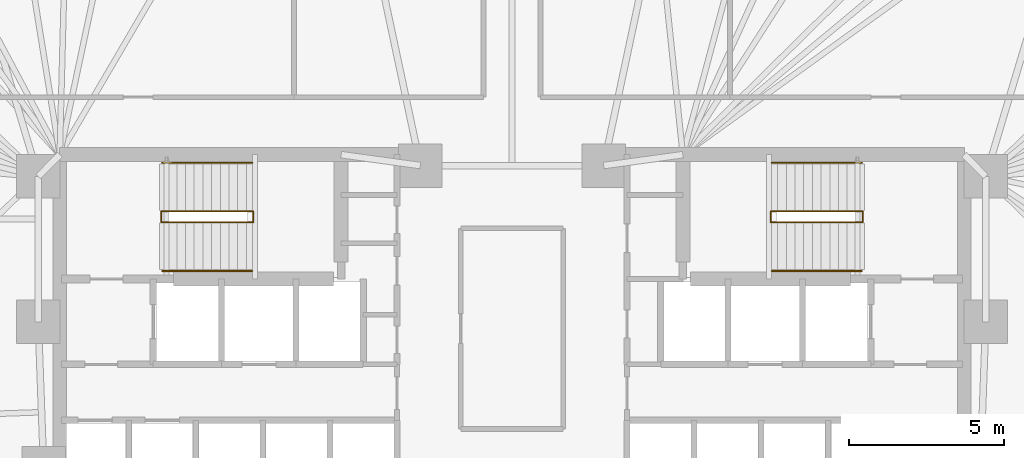
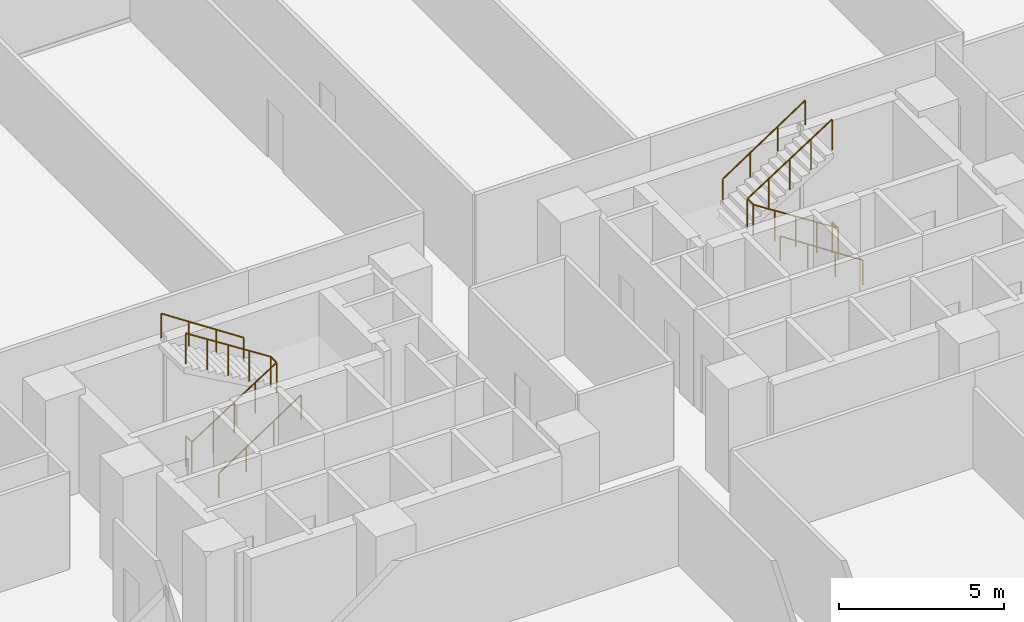
# One storey, part 17 of 17: 6 railings.
"""IFC4 building model written with IfcOpenShell, lengths in metres."""

from ifc_helpers import new_model, si_unit, direction, frame, origin, origin_2d, place, context, subcontext, project, spatial, circle, extrude, material, type_object, element, save


model = new_model("IFC4")

# Units and contexts
model_context = context("Model", 3, precision=1e-05, world=origin(), true_north=direction((0.0, 1.0)))
body_context = subcontext(model_context, "Body", "Model", "MODEL_VIEW")
ifc_project = project(units=[si_unit("LENGTHUNIT", "METRE"), si_unit("AREAUNIT", "SQUARE_METRE"), si_unit("VOLUMEUNIT", "CUBIC_METRE"), si_unit("PLANEANGLEUNIT", "RADIAN"), si_unit("MASSUNIT", "GRAM", prefix="KILO")], contexts=[model_context])

# Site, building, storey
site_placement = place(None, origin())
site = spatial("IfcSite", under=ifc_project, at=site_placement, CompositionType="ELEMENT")
building_placement = place(site_placement, origin())
building = spatial("IfcBuilding", under=site, at=building_placement, Name="Menara Jurai Vektor", CompositionType="ELEMENT")
storey_placement = place(building_placement, frame((0.0, 0.0, 52.199951171875)))
storey = spatial("IfcBuildingStorey", under=building, at=storey_placement, Name="L12", CompositionType="ELEMENT", Elevation=52.199951171875)

# Railings
ifc_material_1 = material(Name="Painted Galvanised Steel Balustrade", Category="steel")
railing_type_1 = type_object("IfcRailingType", Name="RAIL-STAIR-GUARD", PredefinedType="GUARDRAIL", material=ifc_material_1)
railing_1_placement = place(storey_placement, frame((-11.2900390625, 3.780029296875, 0.0)))
element("IfcRailing", 1, at=railing_1_placement, inside=storey, type_object=railing_type_1, Name="ST1 Stair Guardrail 1 L12", PredefinedType="GUARDRAIL", context=body_context, shape_type="SweptSolid", body=[
    extrude(circle(Radius=0.02392578125, at=origin_2d()), frame((0.0, 0.0, 1.1259765625), z_axis=(0.0, -1.0, 0.0), x_axis=(1.0, 0.0, 0.0)), (0.0, 0.0, 1.0), 0.360107421875),
    extrude(circle(Radius=0.02392578125, at=origin_2d()), frame((0.0, -0.360107421875, 1.1259765625), z_axis=(0.841525601958, 0.0, 0.540217235239), x_axis=(0.0, 1.0, 0.0)), (0.0, 0.0, 1.0), 3.517333984375),
    extrude(circle(Radius=0.02392578125, at=origin_2d()), frame((2.9599609375, -0.360107421875, 3.02587890625), z_axis=(0.0, 1.0, 0.0), x_axis=(-1.0, 0.0, 0.0)), (0.0, 0.0, 1.0), 0.360107421875),
    extrude(circle(Radius=0.02392578125, at=origin_2d()), frame((2.9599609375, 0.0, 3.02587890625), z_axis=(-0.841557155905, 0.0, 0.540168078791), x_axis=(0.0, -1.0, 0.0)), (0.0, 0.0, 1.0), 3.517333984375),
    extrude(circle(Radius=0.02099609375, at=origin_2d()), origin(), (0.0, 0.0, 1.0), 1.101806640625),
    extrude(circle(Radius=0.02099609375, at=origin_2d()), frame((0.0, -0.360107421875, 0.0)), (0.0, 0.0, 1.0), 1.101806640625),
    extrude(circle(Radius=0.02099609375, at=origin_2d()), frame((0.739990234375, -0.360107421875, 0.47509765625)), (0.0, 0.0, 1.0), 1.101806640625),
    extrude(circle(Radius=0.02099609375, at=origin_2d()), frame((1.47998046875, -0.360107421875, 0.9501953125)), (0.0, 0.0, 1.0), 1.101806640625),
    extrude(circle(Radius=0.02099609375, at=origin_2d()), frame((2.219970703125, -0.360107421875, 1.425048828125)), (0.0, 0.0, 1.0), 1.101806640625),
    extrude(circle(Radius=0.02099609375, at=origin_2d()), frame((2.9599609375, -0.360107421875, 1.900146484375)), (0.0, 0.0, 1.0), 1.101806640625),
    extrude(circle(Radius=0.02099609375, at=origin_2d()), frame((2.9599609375, 0.0, 1.900146484375)), (0.0, 0.0, 1.0), 1.101806640625),
    extrude(circle(Radius=0.02099609375, at=origin_2d()), frame((2.219970703125, 0.0, 2.375)), (0.0, 0.0, 1.0), 1.101806640625),
    extrude(circle(Radius=0.02099609375, at=origin_2d()), frame((1.47998046875, 0.0, 2.85009765625)), (0.0, 0.0, 1.0), 1.101806640625),
    extrude(circle(Radius=0.02099609375, at=origin_2d()), frame((0.739990234375, 0.0, 3.3251953125)), (0.0, 0.0, 1.0), 1.101806640625),
    extrude(circle(Radius=0.02099609375, at=origin_2d()), frame((0.0, 0.0, 3.800048828125)), (0.0, 0.0, 1.0), 1.101806640625),
])
railing_2_placement = place(storey_placement, frame((11.2900390625, 3.780029296875, 0.0)))
element("IfcRailing", 2, at=railing_2_placement, inside=storey, type_object=railing_type_1, Name="ST2 Stair Guardrail 1 L12", PredefinedType="GUARDRAIL", context=body_context, shape_type="SweptSolid", body=[
    extrude(circle(Radius=0.02392578125, at=origin_2d()), frame((0.0, 0.0, 1.1259765625), z_axis=(0.0, -1.0, 0.0), x_axis=(1.0, 0.0, 0.0)), (0.0, 0.0, 1.0), 0.360107421875),
    extrude(circle(Radius=0.02392578125, at=origin_2d()), frame((0.0, -0.360107421875, 1.1259765625), z_axis=(-0.841525601958, 0.0, 0.540217235239), x_axis=(0.0, -1.0, 0.0)), (0.0, 0.0, 1.0), 3.517333984375),
    extrude(circle(Radius=0.02392578125, at=origin_2d()), frame((-2.9599609375, -0.360107421875, 3.02587890625), z_axis=(0.0, 1.0, 0.0), x_axis=(-1.0, 0.0, 0.0)), (0.0, 0.0, 1.0), 0.360107421875),
    extrude(circle(Radius=0.02392578125, at=origin_2d()), frame((-2.9599609375, 0.0, 3.02587890625), z_axis=(0.841557155905, 0.0, 0.540168078791), x_axis=(0.0, 1.0, 0.0)), (0.0, 0.0, 1.0), 3.517333984375),
    extrude(circle(Radius=0.02099609375, at=origin_2d()), origin(), (0.0, 0.0, 1.0), 1.101806640625),
    extrude(circle(Radius=0.02099609375, at=origin_2d()), frame((0.0, -0.360107421875, 0.0)), (0.0, 0.0, 1.0), 1.101806640625),
    extrude(circle(Radius=0.02099609375, at=origin_2d()), frame((-0.739990234375, -0.360107421875, 0.47509765625)), (0.0, 0.0, 1.0), 1.101806640625),
    extrude(circle(Radius=0.02099609375, at=origin_2d()), frame((-1.47998046875, -0.360107421875, 0.9501953125)), (0.0, 0.0, 1.0), 1.101806640625),
    extrude(circle(Radius=0.02099609375, at=origin_2d()), frame((-2.219970703125, -0.360107421875, 1.425048828125)), (0.0, 0.0, 1.0), 1.101806640625),
    extrude(circle(Radius=0.02099609375, at=origin_2d()), frame((-2.9599609375, -0.360107421875, 1.900146484375)), (0.0, 0.0, 1.0), 1.101806640625),
    extrude(circle(Radius=0.02099609375, at=origin_2d()), frame((-2.9599609375, 0.0, 1.900146484375)), (0.0, 0.0, 1.0), 1.101806640625),
    extrude(circle(Radius=0.02099609375, at=origin_2d()), frame((-2.219970703125, 0.0, 2.375)), (0.0, 0.0, 1.0), 1.101806640625),
    extrude(circle(Radius=0.02099609375, at=origin_2d()), frame((-1.47998046875, 0.0, 2.85009765625)), (0.0, 0.0, 1.0), 1.101806640625),
    extrude(circle(Radius=0.02099609375, at=origin_2d()), frame((-0.739990234375, 0.0, 3.3251953125)), (0.0, 0.0, 1.0), 1.101806640625),
    extrude(circle(Radius=0.02099609375, at=origin_2d()), frame((0.0, 0.0, 3.800048828125)), (0.0, 0.0, 1.0), 1.101806640625),
])
ifc_material_2 = material(Name="Brushed Stainless Steel Handrail", Category="steel")
railing_type_2 = type_object("IfcRailingType", Name="RAIL-STAIR-HAND", PredefinedType="HANDRAIL", material=ifc_material_2)
railing_3_placement = place(storey_placement, frame((-11.25, 1.860107421875, 0.0)))
element("IfcRailing", 3, at=railing_3_placement, inside=storey, type_object=railing_type_2, Name="ST1 Stair Handrail 1 L12", PredefinedType="HANDRAIL", context=body_context, shape_type="SweptSolid", body=[
    extrude(circle(Radius=0.02392578125, at=origin_2d()), frame((0.0, 0.0, 0.89599609375), z_axis=(0.834686171885, 0.0, 0.550725879602), x_axis=(0.0, 1.0, 0.0)), (0.0, 0.0, 1.0), 3.4501953125),
    extrude(circle(Radius=0.02099609375, at=origin_2d()), origin(), (0.0, 0.0, 1.0), 0.871826171875),
    extrude(circle(Radius=0.02099609375, at=origin_2d()), frame((0.9599609375, 0.0, 0.63330078125)), (0.0, 0.0, 1.0), 0.871826171875),
    extrude(circle(Radius=0.02099609375, at=origin_2d()), frame((1.919921875, 0.0, 1.266845703125)), (0.0, 0.0, 1.0), 0.871826171875),
    extrude(circle(Radius=0.02099609375, at=origin_2d()), frame((2.8798828125, 0.0, 1.900146484375)), (0.0, 0.0, 1.0), 0.871826171875),
])
railing_4_placement = place(storey_placement, frame((-8.3701171875, 5.340087890625, 1.900146484375)))
element("IfcRailing", 4, at=railing_4_placement, inside=storey, type_object=railing_type_2, Name="ST1 Stair Handrail 2 L12", PredefinedType="HANDRAIL", context=body_context, shape_type="SweptSolid", body=[
    extrude(circle(Radius=0.02392578125, at=origin_2d()), frame((0.0, 0.0, 0.89599609375), z_axis=(-0.834718698933, 0.0, 0.550676578085), x_axis=(0.0, -1.0, 0.0)), (0.0, 0.0, 1.0), 3.4501953125),
    extrude(circle(Radius=0.02099609375, at=origin_2d()), origin(), (0.0, 0.0, 1.0), 0.871826171875),
    extrude(circle(Radius=0.02099609375, at=origin_2d()), frame((-0.9599609375, 0.0, 0.63330078125)), (0.0, 0.0, 1.0), 0.871826171875),
    extrude(circle(Radius=0.02099609375, at=origin_2d()), frame((-1.919921875, 0.0, 1.2666015625)), (0.0, 0.0, 1.0), 0.871826171875),
    extrude(circle(Radius=0.02099609375, at=origin_2d()), frame((-2.8798828125, 0.0, 1.89990234375)), (0.0, 0.0, 1.0), 0.871826171875),
])
railing_5_placement = place(storey_placement, frame((11.25, 1.860107421875, 0.0)))
element("IfcRailing", 5, at=railing_5_placement, inside=storey, type_object=railing_type_2, Name="ST2 Stair Handrail 1 L12", PredefinedType="HANDRAIL", context=body_context, shape_type="SweptSolid", body=[
    extrude(circle(Radius=0.02392578125, at=origin_2d()), frame((0.0, 0.0, 0.89599609375), z_axis=(-0.834686171885, 0.0, 0.550725879602), x_axis=(0.0, -1.0, 0.0)), (0.0, 0.0, 1.0), 3.4501953125),
    extrude(circle(Radius=0.02099609375, at=origin_2d()), origin(), (0.0, 0.0, 1.0), 0.871826171875),
    extrude(circle(Radius=0.02099609375, at=origin_2d()), frame((-0.9599609375, 0.0, 0.63330078125)), (0.0, 0.0, 1.0), 0.871826171875),
    extrude(circle(Radius=0.02099609375, at=origin_2d()), frame((-1.919921875, 0.0, 1.266845703125)), (0.0, 0.0, 1.0), 0.871826171875),
    extrude(circle(Radius=0.02099609375, at=origin_2d()), frame((-2.8798828125, 0.0, 1.900146484375)), (0.0, 0.0, 1.0), 0.871826171875),
])
railing_6_placement = place(storey_placement, frame((8.3701171875, 5.340087890625, 1.900146484375)))
element("IfcRailing", 6, at=railing_6_placement, inside=storey, type_object=railing_type_2, Name="ST2 Stair Handrail 2 L12", PredefinedType="HANDRAIL", context=body_context, shape_type="SweptSolid", body=[
    extrude(circle(Radius=0.02392578125, at=origin_2d()), frame((0.0, 0.0, 0.89599609375), z_axis=(0.834718698933, 0.0, 0.550676578085), x_axis=(0.0, 1.0, 0.0)), (0.0, 0.0, 1.0), 3.4501953125),
    extrude(circle(Radius=0.02099609375, at=origin_2d()), origin(), (0.0, 0.0, 1.0), 0.871826171875),
    extrude(circle(Radius=0.02099609375, at=origin_2d()), frame((0.9599609375, 0.0, 0.63330078125)), (0.0, 0.0, 1.0), 0.871826171875),
    extrude(circle(Radius=0.02099609375, at=origin_2d()), frame((1.919921875, 0.0, 1.2666015625)), (0.0, 0.0, 1.0), 0.871826171875),
    extrude(circle(Radius=0.02099609375, at=origin_2d()), frame((2.8798828125, 0.0, 1.89990234375)), (0.0, 0.0, 1.0), 0.871826171875),
])

save(model, "model.ifc")
